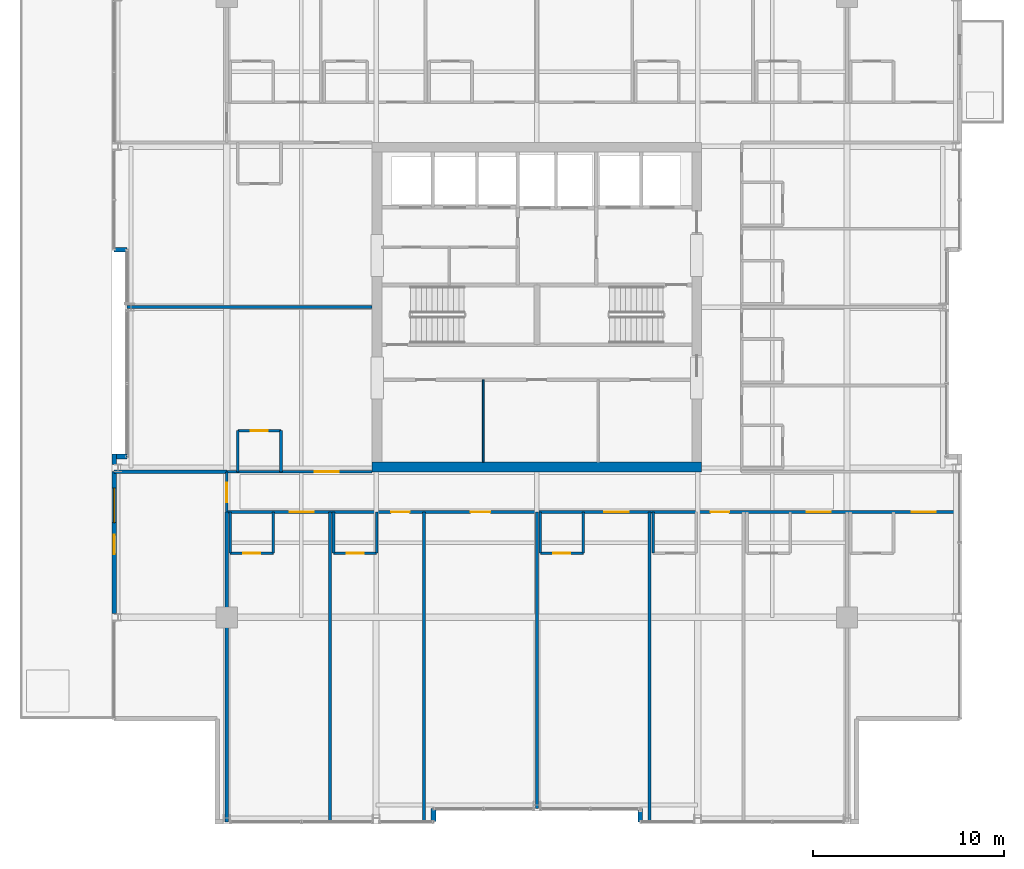
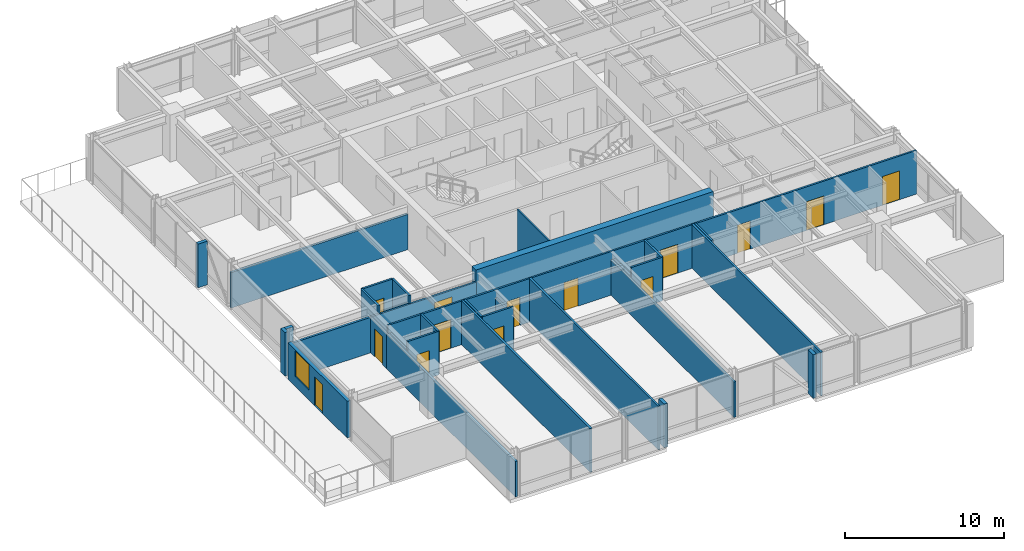
# One storey, part 25 of 32: 31 walls, 14 doors, 1 window, 15 openings.
"""IFC4 building model written with IfcOpenShell, lengths in metres."""

from ifc_helpers import new_model, si_unit, direction, frame, frame_2d, origin, place, context, subcontext, project, spatial, rectangle, extrude, material, layer, layer_set, type_object, element, fill, save


model = new_model("IFC4")

# Units and contexts
model_context = context("Model", 3, precision=1e-05, world=origin(), true_north=direction((0.0, 1.0)))
body_context = subcontext(model_context, "Body", "Model", "MODEL_VIEW")
ifc_project = project(units=[si_unit("LENGTHUNIT", "METRE"), si_unit("AREAUNIT", "SQUARE_METRE"), si_unit("VOLUMEUNIT", "CUBIC_METRE"), si_unit("PLANEANGLEUNIT", "RADIAN"), si_unit("MASSUNIT", "GRAM", prefix="KILO")], contexts=[model_context])

# Site, building, storey
site_placement = place(None, origin())
site = spatial("IfcSite", under=ifc_project, at=site_placement, CompositionType="ELEMENT")
building_placement = place(site_placement, origin())
building = spatial("IfcBuilding", under=site, at=building_placement, Name="Drelvath Grand Hotel", CompositionType="ELEMENT")
storey_placement = place(building_placement, frame((0.0, 0.0, 205.10009765625)))
storey = spatial("IfcBuildingStorey", under=building, at=storey_placement, Name="L53", CompositionType="ELEMENT", Elevation=205.10009765625)

# Wall
ifc_material_1 = material(Name="Gypsum Partition Board")
ifc_layer_1 = layer(ifc_material_1, 0.10009765625)
ifc_layer_set_1 = layer_set([ifc_layer_1], Name="Gypsum Partition Board")
wall_type_1 = type_object("IfcWallType", Name="Core Closet Partition 100", PredefinedType="PARTITIONING", material=ifc_layer_set_1)
wall_1_placement = place(storey_placement, frame((-2.800048828125, 18.89990234375, 0.0), z_axis=(0.0, 0.0, 1.0), x_axis=(0.0, 1.0, 0.0)))
element("IfcWall", 1, at=wall_1_placement, inside=storey, type_object=wall_type_1, Name="L53 Upper Core Split 1A", PredefinedType="PARTITIONING", context=body_context, shape_type="SweptSolid", body=[
    extrude(rectangle(XDim=4.300048828125, YDim=0.10009765625, at=frame_2d((2.14990234375, 0.0))), origin(), (0.0, 0.0, 1.0), 3.33984375),
])

# Wall, openings, doors
ifc_material_2 = material(Name="Gypsum Fireboard Partition")
ifc_layer_2 = layer(ifc_material_2, 0.135009765625)
ifc_layer_set_2 = layer_set([ifc_layer_2], Name="Gypsum Fireboard Partition")
wall_type_2 = type_object("IfcWallType", Name="Corridor Fire Barrier Wall 135", PredefinedType="PARTITIONING", material=ifc_layer_set_2)
wall_2_placement = place(storey_placement, frame((-16.199951171875, 16.300048828125, 0.0), z_axis=(0.0, 0.0, 1.0), x_axis=(1.0, 0.0, 0.0)))
wall_2 = element("IfcWall", 2, at=wall_2_placement, inside=storey, type_object=wall_type_2, Name="L53 South Cross-Gallery Wall", PredefinedType="PARTITIONING", context=body_context, shape_type="SweptSolid", body=[
    extrude(rectangle(XDim=38.280029296875, YDim=0.135009765625, at=frame_2d((19.14013671875, 0.0))), origin(), (0.0, 0.0, 1.0), 3.33984375),
])
opening_1_placement = place(wall_2_placement, frame((35.784912109375, 0.0, 0.0)))
opening_1 = element("IfcOpeningElement", 3, at=opening_1_placement, cuts=wall_2, Name="Opening D-T4G1-022", PredefinedType="OPENING", context=body_context, shape_type="SweptSolid", body=[
    extrude(rectangle(XDim=1.260009765625, YDim=2.199951171875, at=frame_2d((0.6298828125, 1.10009765625))), frame((0.0, 0.077392578125, 0.0), z_axis=(0.0, -1.0, 0.0), x_axis=(1.0, 0.0, 0.0)), (0.0, 0.0, 1.0), 0.155029296875),
])
opening_2_placement = place(wall_2_placement, frame((3.284912109375, 0.0, 0.0)))
opening_2 = element("IfcOpeningElement", 4, at=opening_2_placement, cuts=wall_2, Name="Opening D-T4G1-026", PredefinedType="OPENING", context=body_context, shape_type="SweptSolid", body=[
    extrude(rectangle(XDim=1.260009765625, YDim=2.199951171875, at=frame_2d((0.6298828125, 1.10009765625))), frame((0.0, 0.077392578125, 0.0), z_axis=(0.0, -1.0, 0.0), x_axis=(1.0, 0.0, 0.0)), (0.0, 0.0, 1.0), 0.155029296875),
])
opening_3_placement = place(wall_2_placement, frame((8.589599609375, 0.0, 0.0)))
opening_3 = element("IfcOpeningElement", 5, at=opening_3_placement, cuts=wall_2, Name="Opening D-T4G1-028", PredefinedType="OPENING", context=body_context, shape_type="SweptSolid", body=[
    extrude(rectangle(XDim=0.9599609375, YDim=2.14990234375, at=frame_2d((0.47998046875, 1.074951171875))), frame((0.0, 0.077392578125, 0.0), z_axis=(0.0, -1.0, 0.0), x_axis=(1.0, 0.0, 0.0)), (0.0, 0.0, 1.0), 0.155029296875),
])
opening_4_placement = place(wall_2_placement, frame((12.744384765625, 0.0, 0.0)))
opening_4 = element("IfcOpeningElement", 6, at=opening_4_placement, cuts=wall_2, Name="Opening D-T4G1-029", PredefinedType="OPENING", context=body_context, shape_type="SweptSolid", body=[
    extrude(rectangle(XDim=1.02001953125, YDim=2.14990234375, at=frame_2d((0.510009765625, 1.074951171875))), frame((0.0, 0.077392578125, 0.0), z_axis=(0.0, -1.0, 0.0), x_axis=(1.0, 0.0, 0.0)), (0.0, 0.0, 1.0), 0.155029296875),
])
opening_5_placement = place(wall_2_placement, frame((19.73046875, 0.0, 0.0)))
opening_5 = element("IfcOpeningElement", 7, at=opening_5_placement, cuts=wall_2, Name="Opening D-T4G1-031", PredefinedType="OPENING", context=body_context, shape_type="SweptSolid", body=[
    extrude(rectangle(XDim=1.260009765625, YDim=2.199951171875, at=frame_2d((0.6298828125, 1.10009765625))), frame((0.0, 0.077392578125, 0.0), z_axis=(0.0, -1.0, 0.0), x_axis=(1.0, 0.0, 0.0)), (0.0, 0.0, 1.0), 0.155029296875),
])
opening_6_placement = place(wall_2_placement, frame((25.280517578125, 0.0, 0.0)))
opening_6 = element("IfcOpeningElement", 8, at=opening_6_placement, cuts=wall_2, Name="Opening D-T4G1-033", PredefinedType="OPENING", context=body_context, shape_type="SweptSolid", body=[
    extrude(rectangle(XDim=0.9599609375, YDim=2.14990234375, at=frame_2d((0.47998046875, 1.074951171875))), frame((0.0, 0.077392578125, 0.0), z_axis=(0.0, -1.0, 0.0), x_axis=(1.0, 0.0, 0.0)), (0.0, 0.0, 1.0), 0.155029296875),
])
opening_7_placement = place(wall_2_placement, frame((30.284912109375, 0.0, 0.0)))
opening_7 = element("IfcOpeningElement", 9, at=opening_7_placement, cuts=wall_2, Name="Opening D-T4G1-035", PredefinedType="OPENING", context=body_context, shape_type="SweptSolid", body=[
    extrude(rectangle(XDim=1.260009765625, YDim=2.199951171875, at=frame_2d((0.6298828125, 1.10009765625))), frame((0.0, 0.077392578125, 0.0), z_axis=(0.0, -1.0, 0.0), x_axis=(1.0, 0.0, 0.0)), (0.0, 0.0, 1.0), 0.155029296875),
])
ifc_material_3 = material(Name="Hardwood Walnut Timber", Category="wood")
door_type_1 = type_object("IfcDoorType", Name="Amenity Meeting Fire Door 1020x2150", OperationType="NOTDEFINED", PredefinedType="DOOR", material=ifc_material_3)
door_1_placement = place(opening_4_placement, origin())
door_1 = element("IfcDoor", 10, at=door_1_placement, inside=storey, type_object=door_type_1, Name="L53 Diplomatic Reception Lounge Entry Door", OperationType="SINGLE_SWING_RIGHT", OverallHeight=2.14990234375, OverallWidth=1.02001953125, PredefinedType="DOOR", context=body_context, shape_type="SweptSolid", body=[
    extrude(rectangle(XDim=1.02001953125, YDim=2.14990234375, at=frame_2d((0.510009765625, 1.074951171875))), frame((0.0, 0.02490234375, 0.0), z_axis=(0.0, -1.0, 0.0), x_axis=(1.0, 0.0, 0.0)), (0.0, 0.0, 1.0), 0.050048828125),
])
fill(opening_4, door_1)
door_type_2 = type_object("IfcDoorType", Name="Guestroom Entrance Fire Door 960x2150", OperationType="NOTDEFINED", PredefinedType="DOOR", material=ifc_material_3)
door_2_placement = place(opening_3_placement, origin())
door_2 = element("IfcDoor", 11, at=door_2_placement, inside=storey, type_object=door_type_2, Name="L53 Deluxe Guest Room Entry Door", OperationType="SINGLE_SWING_LEFT", OverallHeight=2.14990234375, OverallWidth=0.9599609375, PredefinedType="DOOR", context=body_context, shape_type="SweptSolid", body=[
    extrude(rectangle(XDim=0.9599609375, YDim=2.14990234375, at=frame_2d((0.47998046875, 1.074951171875))), frame((0.0, 0.02490234375, 0.0), z_axis=(0.0, -1.0, 0.0), x_axis=(1.0, 0.0, 0.0)), (0.0, 0.0, 1.0), 0.050048828125),
])
fill(opening_3, door_2)
door_3_placement = place(opening_6_placement, origin())
door_3 = element("IfcDoor", 12, at=door_3_placement, inside=storey, type_object=door_type_2, Name="L53 Deluxe Guest Room Entry Door", OperationType="SINGLE_SWING_RIGHT", OverallHeight=2.14990234375, OverallWidth=0.9599609375, PredefinedType="DOOR", context=body_context, shape_type="SweptSolid", body=[
    extrude(rectangle(XDim=0.9599609375, YDim=2.14990234375, at=frame_2d((0.47998046875, 1.074951171875))), frame((0.0, 0.02490234375, 0.0), z_axis=(0.0, -1.0, 0.0), x_axis=(1.0, 0.0, 0.0)), (0.0, 0.0, 1.0), 0.050048828125),
])
fill(opening_6, door_3)
door_type_3 = type_object("IfcDoorType", Name="Suite Entrance Fire Door 1260x2200", OperationType="NOTDEFINED", PredefinedType="DOOR", material=ifc_material_3)
door_4_placement = place(opening_1_placement, origin())
door_4 = element("IfcDoor", 13, at=door_4_placement, inside=storey, type_object=door_type_3, Name="L53 Diplomatic Suite Entry Door", OperationType="SINGLE_SWING_LEFT", OverallHeight=2.199951171875, OverallWidth=1.260009765625, PredefinedType="DOOR", context=body_context, shape_type="SweptSolid", body=[
    extrude(rectangle(XDim=1.260009765625, YDim=2.199951171875, at=frame_2d((0.6298828125, 1.10009765625))), frame((0.0, 0.02490234375, 0.0), z_axis=(0.0, -1.0, 0.0), x_axis=(1.0, 0.0, 0.0)), (0.0, 0.0, 1.0), 0.050048828125),
])
fill(opening_1, door_4)
door_5_placement = place(opening_2_placement, origin())
door_5 = element("IfcDoor", 14, at=door_5_placement, inside=storey, type_object=door_type_3, Name="L53 Diplomatic Suite Entry Door", OperationType="SINGLE_SWING_LEFT", OverallHeight=2.199951171875, OverallWidth=1.260009765625, PredefinedType="DOOR", context=body_context, shape_type="SweptSolid", body=[
    extrude(rectangle(XDim=1.260009765625, YDim=2.199951171875, at=frame_2d((0.6298828125, 1.10009765625))), frame((0.0, 0.02490234375, 0.0), z_axis=(0.0, -1.0, 0.0), x_axis=(1.0, 0.0, 0.0)), (0.0, 0.0, 1.0), 0.050048828125),
])
fill(opening_2, door_5)
door_6_placement = place(opening_5_placement, origin())
door_6 = element("IfcDoor", 15, at=door_6_placement, inside=storey, type_object=door_type_3, Name="L53 Diplomatic Suite Entry Door", OperationType="SINGLE_SWING_RIGHT", OverallHeight=2.199951171875, OverallWidth=1.260009765625, PredefinedType="DOOR", context=body_context, shape_type="SweptSolid", body=[
    extrude(rectangle(XDim=1.260009765625, YDim=2.199951171875, at=frame_2d((0.6298828125, 1.10009765625))), frame((0.0, 0.02490234375, 0.0), z_axis=(0.0, -1.0, 0.0), x_axis=(1.0, 0.0, 0.0)), (0.0, 0.0, 1.0), 0.050048828125),
])
fill(opening_5, door_6)
door_7_placement = place(opening_7_placement, origin())
door_7 = element("IfcDoor", 16, at=door_7_placement, inside=storey, type_object=door_type_3, Name="L53 Diplomatic Suite Entry Door", OperationType="SINGLE_SWING_RIGHT", OverallHeight=2.199951171875, OverallWidth=1.260009765625, PredefinedType="DOOR", context=body_context, shape_type="SweptSolid", body=[
    extrude(rectangle(XDim=1.260009765625, YDim=2.199951171875, at=frame_2d((0.6298828125, 1.10009765625))), frame((0.0, 0.02490234375, 0.0), z_axis=(0.0, -1.0, 0.0), x_axis=(1.0, 0.0, 0.0)), (0.0, 0.0, 1.0), 0.050048828125),
])
fill(opening_7, door_7)

# Wall, opening, door
wall_3_placement = place(storey_placement, frame((-16.199951171875, 18.39990234375, 0.0), z_axis=(0.0, 0.0, 1.0), x_axis=(1.0, 0.0, 0.0)))
wall_3 = element("IfcWall", 17, at=wall_3_placement, inside=storey, type_object=wall_type_2, Name="L53 South Gallery Inner West Wall", PredefinedType="PARTITIONING", context=body_context, shape_type="SweptSolid", body=[
    extrude(rectangle(XDim=7.599853515625, YDim=0.135009765625, at=frame_2d((3.7998046875, 0.0))), origin(), (0.0, 0.0, 1.0), 2.71728515625),
])
opening_8_placement = place(wall_3_placement, frame((4.5849609375, 0.0, 0.0)))
opening_8 = element("IfcOpeningElement", 18, at=opening_8_placement, cuts=wall_3, Name="Opening D-T4G1-056", PredefinedType="OPENING", context=body_context, shape_type="SweptSolid", body=[
    extrude(rectangle(XDim=1.260009765625, YDim=2.199951171875, at=frame_2d((0.6298828125, 1.10009765625))), frame((0.0, 0.077392578125, 0.0), z_axis=(0.0, -1.0, 0.0), x_axis=(1.0, 0.0, 0.0)), (0.0, 0.0, 1.0), 0.155029296875),
])
door_8_placement = place(opening_8_placement, origin())
door_8 = element("IfcDoor", 19, at=door_8_placement, inside=storey, type_object=door_type_3, Name="L53 Diplomatic Suite Entry Door", OperationType="SINGLE_SWING_LEFT", OverallHeight=2.199951171875, OverallWidth=1.260009765625, PredefinedType="DOOR", context=body_context, shape_type="SweptSolid", body=[
    extrude(rectangle(XDim=1.260009765625, YDim=2.199951171875, at=frame_2d((0.6298828125, 1.10009765625))), frame((0.0, 0.02490234375, 0.0), z_axis=(0.0, -1.0, 0.0), x_axis=(1.0, 0.0, 0.0)), (0.0, 0.0, 1.0), 0.050048828125),
])
fill(opening_8, door_8)

wall_4_placement = place(storey_placement, frame((-16.199951171875, 16.300048828125, 0.0), z_axis=(0.0, 0.0, 1.0), x_axis=(0.0, 1.0, 0.0)))
wall_4 = element("IfcWall", 20, at=wall_4_placement, inside=storey, type_object=wall_type_2, Name="L53 South Gallery West End", PredefinedType="PARTITIONING", context=body_context, shape_type="SweptSolid", body=[
    extrude(rectangle(XDim=2.099853515625, YDim=0.135009765625, at=frame_2d((1.0498046875, 0.0))), origin(), (0.0, 0.0, 1.0), 2.713623046875),
])
opening_9_placement = place(wall_4_placement, frame((0.52001953125, 0.0, 0.0)))
opening_9 = element("IfcOpeningElement", 21, at=opening_9_placement, cuts=wall_4, Name="Opening D-T4G1-019", PredefinedType="OPENING", context=body_context, shape_type="SweptSolid", body=[
    extrude(rectangle(XDim=1.02001953125, YDim=2.14990234375, at=frame_2d((0.510009765625, 1.074951171875))), frame((0.0, 0.077392578125, 0.0), z_axis=(0.0, -1.0, 0.0), x_axis=(1.0, 0.0, 0.0)), (0.0, 0.0, 1.0), 0.155029296875),
])
door_9_placement = place(opening_9_placement, origin())
door_9 = element("IfcDoor", 22, at=door_9_placement, inside=storey, type_object=door_type_1, Name="L53 Corner Panorama Lounge Door", OperationType="SINGLE_SWING_RIGHT", OverallHeight=2.14990234375, OverallWidth=1.02001953125, PredefinedType="DOOR", context=body_context, shape_type="SweptSolid", body=[
    extrude(rectangle(XDim=1.02001953125, YDim=2.14990234375, at=frame_2d((0.510009765625, 1.074951171875))), frame((0.0, 0.02490234375, 0.0), z_axis=(0.0, -1.0, 0.0), x_axis=(1.0, 0.0, 0.0)), (0.0, 0.0, 1.0), 0.050048828125),
])
fill(opening_9, door_9)

# Walls
ifc_material_4 = material(Name="Moisture-Resistant Gypsum Board")
ifc_layer_3 = layer(ifc_material_4, 0.139892578125)
ifc_layer_set_3 = layer_set([ifc_layer_3], Name="Moisture-Resistant Gypsum Board")
wall_type_3 = type_object("IfcWallType", Name="En-Suite Plumbing Wall 140", PredefinedType="PLUMBINGWALL", material=ifc_layer_set_3)
wall_5_placement = place(storey_placement, frame((-16.02001953125, 16.300048828125, 0.0), z_axis=(0.0, 0.0, 1.0), x_axis=(0.0, -1.0, 0.0)))
element("IfcWall", 23, at=wall_5_placement, inside=storey, type_object=wall_type_3, Name="L53 En-Suite Left Wall", PredefinedType="PLUMBINGWALL", context=body_context, shape_type="SweptSolid", body=[
    extrude(rectangle(XDim=2.150146484375, YDim=0.139892578125, at=frame_2d((1.0751953125, 0.0))), origin(), (0.0, 0.0, 1.0), 2.713623046875),
])
wall_6_placement = place(storey_placement, frame((-13.77001953125, 16.300048828125, 0.0), z_axis=(0.0, 0.0, 1.0), x_axis=(0.0, -1.0, 0.0)))
element("IfcWall", 24, at=wall_6_placement, inside=storey, type_object=wall_type_3, Name="L53 En-Suite Right Wall", PredefinedType="PLUMBINGWALL", context=body_context, shape_type="SweptSolid", body=[
    extrude(rectangle(XDim=2.150146484375, YDim=0.139892578125, at=frame_2d((1.0751953125, 0.0))), origin(), (0.0, 0.0, 1.0), 3.33984375),
])

# Wall, opening, door
wall_7_placement = place(storey_placement, frame((-16.02001953125, 14.14990234375, 0.0), z_axis=(0.0, 0.0, 1.0), x_axis=(1.0, 0.0, 0.0)))
wall_7 = element("IfcWall", 25, at=wall_7_placement, inside=storey, type_object=wall_type_3, Name="L53 En-Suite Front Wall", PredefinedType="PLUMBINGWALL", context=body_context, shape_type="SweptSolid", body=[
    extrude(rectangle(XDim=2.25, YDim=0.139892578125, at=frame_2d((1.125, 0.0))), origin(), (0.0, 0.0, 1.0), 3.33984375),
])
opening_10_placement = place(wall_7_placement, frame((0.68505859375, 0.0, 0.0)))
opening_10 = element("IfcOpeningElement", 26, at=opening_10_placement, cuts=wall_7, Name="Opening D-T4G1-025", PredefinedType="OPENING", context=body_context, shape_type="SweptSolid", body=[
    extrude(rectangle(XDim=0.8798828125, YDim=2.10009765625, at=frame_2d((0.43994140625, 1.050048828125))), frame((0.0, 0.079833984375, 0.0), z_axis=(0.0, -1.0, 0.0), x_axis=(1.0, 0.0, 0.0)), (0.0, 0.0, 1.0), 0.159912109375),
])
door_type_4 = type_object("IfcDoorType", Name="En-Suite Bathroom Door 880x2100", OperationType="NOTDEFINED", PredefinedType="DOOR", material=ifc_material_3)
door_10_placement = place(opening_10_placement, origin())
door_10 = element("IfcDoor", 27, at=door_10_placement, inside=storey, type_object=door_type_4, Name="L53 En-Suite Bathroom Door", OperationType="SINGLE_SWING_RIGHT", OverallHeight=2.10009765625, OverallWidth=0.8798828125, PredefinedType="DOOR", context=body_context, shape_type="SweptSolid", body=[
    extrude(rectangle(XDim=0.8798828125, YDim=2.10009765625, at=frame_2d((0.43994140625, 1.050048828125))), frame((0.0, 0.02490234375, 0.0), z_axis=(0.0, -1.0, 0.0), x_axis=(1.0, 0.0, 0.0)), (0.0, 0.0, 1.0), 0.050048828125),
])
fill(opening_10, door_10)

# Walls
wall_8_placement = place(storey_placement, frame((-10.6201171875, 16.300048828125, 0.0), z_axis=(0.0, 0.0, 1.0), x_axis=(0.0, -1.0, 0.0)))
element("IfcWall", 28, at=wall_8_placement, inside=storey, type_object=wall_type_3, Name="L53 En-Suite Left Wall", PredefinedType="PLUMBINGWALL", context=body_context, shape_type="SweptSolid", body=[
    extrude(rectangle(XDim=2.150146484375, YDim=0.139892578125, at=frame_2d((1.0751953125, 0.0))), origin(), (0.0, 0.0, 1.0), 3.33984375),
])
wall_9_placement = place(storey_placement, frame((-8.3701171875, 16.300048828125, 0.0), z_axis=(0.0, 0.0, 1.0), x_axis=(0.0, -1.0, 0.0)))
element("IfcWall", 29, at=wall_9_placement, inside=storey, type_object=wall_type_3, Name="L53 En-Suite Right Wall", PredefinedType="PLUMBINGWALL", context=body_context, shape_type="SweptSolid", body=[
    extrude(rectangle(XDim=2.150146484375, YDim=0.139892578125, at=frame_2d((1.0751953125, 0.0))), origin(), (0.0, 0.0, 1.0), 2.71728515625),
])

# Wall, opening, door
wall_10_placement = place(storey_placement, frame((-10.6201171875, 14.14990234375, 0.0), z_axis=(0.0, 0.0, 1.0), x_axis=(1.0, 0.0, 0.0)))
wall_10 = element("IfcWall", 30, at=wall_10_placement, inside=storey, type_object=wall_type_3, Name="L53 En-Suite Front Wall", PredefinedType="PLUMBINGWALL", context=body_context, shape_type="SweptSolid", body=[
    extrude(rectangle(XDim=2.25, YDim=0.139892578125, at=frame_2d((1.125, 0.0))), origin(), (0.0, 0.0, 1.0), 3.33984375),
])
opening_11_placement = place(wall_10_placement, frame((0.68505859375, 0.0, 0.0)))
opening_11 = element("IfcOpeningElement", 31, at=opening_11_placement, cuts=wall_10, Name="Opening D-T4G1-027", PredefinedType="OPENING", context=body_context, shape_type="SweptSolid", body=[
    extrude(rectangle(XDim=0.8798828125, YDim=2.10009765625, at=frame_2d((0.43994140625, 1.050048828125))), frame((0.0, 0.079833984375, 0.0), z_axis=(0.0, -1.0, 0.0), x_axis=(1.0, 0.0, 0.0)), (0.0, 0.0, 1.0), 0.159912109375),
])
door_11_placement = place(opening_11_placement, origin())
door_11 = element("IfcDoor", 32, at=door_11_placement, inside=storey, type_object=door_type_4, Name="L53 En-Suite Bathroom Door", OperationType="SINGLE_SWING_RIGHT", OverallHeight=2.10009765625, OverallWidth=0.8798828125, PredefinedType="DOOR", context=body_context, shape_type="SweptSolid", body=[
    extrude(rectangle(XDim=0.8798828125, YDim=2.10009765625, at=frame_2d((0.43994140625, 1.050048828125))), frame((0.0, 0.02490234375, 0.0), z_axis=(0.0, -1.0, 0.0), x_axis=(1.0, 0.0, 0.0)), (0.0, 0.0, 1.0), 0.050048828125),
])
fill(opening_11, door_11)

# Walls
wall_11_placement = place(storey_placement, frame((0.179931640625, 16.300048828125, 0.0), z_axis=(0.0, 0.0, 1.0), x_axis=(0.0, -1.0, 0.0)))
element("IfcWall", 33, at=wall_11_placement, inside=storey, type_object=wall_type_3, Name="L53 En-Suite Left Wall", PredefinedType="PLUMBINGWALL", context=body_context, shape_type="SweptSolid", body=[
    extrude(rectangle(XDim=2.150146484375, YDim=0.139892578125, at=frame_2d((1.0751953125, 0.0))), origin(), (0.0, 0.0, 1.0), 2.71728515625),
])
wall_12_placement = place(storey_placement, frame((2.429931640625, 16.300048828125, 0.0), z_axis=(0.0, 0.0, 1.0), x_axis=(0.0, -1.0, 0.0)))
element("IfcWall", 34, at=wall_12_placement, inside=storey, type_object=wall_type_3, Name="L53 En-Suite Right Wall", PredefinedType="PLUMBINGWALL", context=body_context, shape_type="SweptSolid", body=[
    extrude(rectangle(XDim=2.150146484375, YDim=0.139892578125, at=frame_2d((1.0751953125, 0.0))), origin(), (0.0, 0.0, 1.0), 3.33984375),
])

# Wall, opening, door
wall_13_placement = place(storey_placement, frame((0.179931640625, 14.14990234375, 0.0), z_axis=(0.0, 0.0, 1.0), x_axis=(1.0, 0.0, 0.0)))
wall_13 = element("IfcWall", 35, at=wall_13_placement, inside=storey, type_object=wall_type_3, Name="L53 En-Suite Front Wall", PredefinedType="PLUMBINGWALL", context=body_context, shape_type="SweptSolid", body=[
    extrude(rectangle(XDim=2.25, YDim=0.139892578125, at=frame_2d((1.125, 0.0))), origin(), (0.0, 0.0, 1.0), 3.33984375),
])
opening_12_placement = place(wall_13_placement, frame((0.68505859375, 0.0, 0.0)))
opening_12 = element("IfcOpeningElement", 36, at=opening_12_placement, cuts=wall_13, Name="Opening D-T4G1-030", PredefinedType="OPENING", context=body_context, shape_type="SweptSolid", body=[
    extrude(rectangle(XDim=0.8798828125, YDim=2.10009765625, at=frame_2d((0.43994140625, 1.050048828125))), frame((0.0, 0.079833984375, 0.0), z_axis=(0.0, -1.0, 0.0), x_axis=(1.0, 0.0, 0.0)), (0.0, 0.0, 1.0), 0.159912109375),
])
door_12_placement = place(opening_12_placement, origin())
door_12 = element("IfcDoor", 37, at=door_12_placement, inside=storey, type_object=door_type_4, Name="L53 En-Suite Bathroom Door", OperationType="SINGLE_SWING_LEFT", OverallHeight=2.10009765625, OverallWidth=0.8798828125, PredefinedType="DOOR", context=body_context, shape_type="SweptSolid", body=[
    extrude(rectangle(XDim=0.8798828125, YDim=2.10009765625, at=frame_2d((0.43994140625, 1.050048828125))), frame((0.0, 0.02490234375, 0.0), z_axis=(0.0, -1.0, 0.0), x_axis=(1.0, 0.0, 0.0)), (0.0, 0.0, 1.0), 0.050048828125),
])
fill(opening_12, door_12)

# Walls
for number, where, z_axis, x_axis, name in (
    (38, (6.07080078125, 16.300048828125, 0.0), (0.0, 0.0, 1.0), (0.0, -1.0, 0.0), "L53 En-Suite Left Wall"),
    (39, (-15.6201171875, 18.39990234375, 0.0), (0.0, 0.0, 1.0), (0.0, 1.0, 0.0), "L53 En-Suite Left Wall"),
    (40, (-13.3701171875, 18.39990234375, 0.0), (0.0, 0.0, 1.0), (0.0, 1.0, 0.0), "L53 En-Suite Right Wall"),
):
    element("IfcWall", number, at=place(storey_placement, frame(where, z_axis=z_axis, x_axis=x_axis)), inside=storey, type_object=wall_type_3, Name=name, PredefinedType="PLUMBINGWALL", context=body_context, shape_type="SweptSolid", body=[
        extrude(rectangle(XDim=2.150146484375, YDim=0.139892578125, at=frame_2d((1.0751953125, 0.0))), origin(), (0.0, 0.0, 1.0), 3.33984375),
    ])

# Wall, opening, door
wall_14_placement = place(storey_placement, frame((-15.6201171875, 20.550048828125, 0.0), z_axis=(0.0, 0.0, 1.0), x_axis=(1.0, 0.0, 0.0)))
wall_14 = element("IfcWall", 41, at=wall_14_placement, inside=storey, type_object=wall_type_3, Name="L53 En-Suite Front Wall", PredefinedType="PLUMBINGWALL", context=body_context, shape_type="SweptSolid", body=[
    extrude(rectangle(XDim=2.25, YDim=0.139892578125, at=frame_2d((1.125, 0.0))), origin(), (0.0, 0.0, 1.0), 3.33984375),
])
opening_13_placement = place(wall_14_placement, frame((0.68505859375, 0.0, 0.0)))
opening_13 = element("IfcOpeningElement", 42, at=opening_13_placement, cuts=wall_14, Name="Opening D-T4G1-055", PredefinedType="OPENING", context=body_context, shape_type="SweptSolid", body=[
    extrude(rectangle(XDim=0.8798828125, YDim=2.10009765625, at=frame_2d((0.43994140625, 1.050048828125))), frame((0.0, 0.079833984375, 0.0), z_axis=(0.0, -1.0, 0.0), x_axis=(1.0, 0.0, 0.0)), (0.0, 0.0, 1.0), 0.159912109375),
])
door_13_placement = place(opening_13_placement, origin())
door_13 = element("IfcDoor", 43, at=door_13_placement, inside=storey, type_object=door_type_4, Name="L53 En-Suite Bathroom Door", OperationType="SINGLE_SWING_RIGHT", OverallHeight=2.10009765625, OverallWidth=0.8798828125, PredefinedType="DOOR", context=body_context, shape_type="SweptSolid", body=[
    extrude(rectangle(XDim=0.8798828125, YDim=2.10009765625, at=frame_2d((0.43994140625, 1.050048828125))), frame((0.0, 0.02490234375, 0.0), z_axis=(0.0, -1.0, 0.0), x_axis=(1.0, 0.0, 0.0)), (0.0, 0.0, 1.0), 0.050048828125),
])
fill(opening_13, door_13)

# Walls
ifc_material_5 = material(Name="Gypsum Acoustic Partition")
ifc_layer_4 = layer(ifc_material_5, 0.14990234375)
ifc_layer_set_4 = layer_set([ifc_layer_4], Name="Gypsum Acoustic Partition")
wall_type_4 = type_object("IfcWallType", Name="Guestroom Demising Wall 150", PredefinedType="PARTITIONING", material=ifc_layer_set_4)
for number, where, z_axis, x_axis, name in (
    (44, (-10.800048828125, 0.1201171875, 0.0), (0.0, 0.0, 1.0), (0.0, 1.0, 0.0), "L53 South Demising 1"),
    (45, (-5.890869140625, 0.1201171875, 0.0), (0.0, 0.0, 1.0), (0.0, 1.0, 0.0), "L53 South Demising 2"),
):
    element("IfcWall", number, at=place(storey_placement, frame(where, z_axis=z_axis, x_axis=x_axis)), inside=storey, type_object=wall_type_4, Name=name, PredefinedType="PARTITIONING", context=body_context, shape_type="SweptSolid", body=[
        extrude(rectangle(XDim=16.179931640625, YDim=0.14990234375, at=frame_2d((8.08984375, 0.0))), origin(), (0.0, 0.0, 1.0), 3.33984375),
    ])
wall_15_placement = place(storey_placement, frame((0.0, 0.800048828125, 0.0), z_axis=(0.0, 0.0, 1.0), x_axis=(0.0, 1.0, 0.0)))
element("IfcWall", 46, at=wall_15_placement, inside=storey, type_object=wall_type_4, Name="L53 South Demising 3", PredefinedType="PARTITIONING", context=body_context, shape_type="SweptSolid", body=[
    extrude(rectangle(XDim=15.5, YDim=0.14990234375, at=frame_2d((7.75, 0.0))), origin(), (0.0, 0.0, 1.0), 2.713623046875),
])
wall_16_placement = place(storey_placement, frame((5.890869140625, 0.1201171875, 0.0), z_axis=(0.0, 0.0, 1.0), x_axis=(0.0, 1.0, 0.0)))
element("IfcWall", 47, at=wall_16_placement, inside=storey, type_object=wall_type_4, Name="L53 South Demising 4", PredefinedType="PARTITIONING", context=body_context, shape_type="SweptSolid", body=[
    extrude(rectangle(XDim=16.179931640625, YDim=0.14990234375, at=frame_2d((8.08984375, 0.0))), origin(), (0.0, 0.0, 1.0), 3.33984375),
])
ifc_layer_5 = layer(ifc_material_5, 0.1650390625)
ifc_layer_set_5 = layer_set([ifc_layer_5], Name="Gypsum Acoustic Partition")
wall_type_5 = type_object("IfcWallType", Name="Suite Demising Wall 165", PredefinedType="PARTITIONING", material=ifc_layer_set_5)
wall_17_placement = place(storey_placement, frame((-16.199951171875, 0.1201171875, 0.0), z_axis=(0.0, 0.0, 1.0), x_axis=(0.0, 1.0, 0.0)))
element("IfcWall", 48, at=wall_17_placement, inside=storey, type_object=wall_type_5, Name="L53 SW Suite Wall", PredefinedType="PARTITIONING", context=body_context, shape_type="SweptSolid", body=[
    extrude(rectangle(XDim=16.179931640625, YDim=0.1650390625, at=frame_2d((8.08984375, 0.0))), origin(), (0.0, 0.0, 1.0), 2.713623046875),
])
wall_18_placement = place(storey_placement, frame((-22.080078125, 18.39990234375, 0.0), z_axis=(0.0, 0.0, 1.0), x_axis=(1.0, 0.0, 0.0)))
element("IfcWall", 49, at=wall_18_placement, inside=storey, type_object=wall_type_5, Name="L53 SW Corner North Wall", PredefinedType="PARTITIONING", context=body_context, shape_type="SweptSolid", body=[
    extrude(rectangle(XDim=5.880126953125, YDim=0.1650390625, at=frame_2d((2.93994140625, 0.0))), origin(), (0.0, 0.0, 1.0), 2.713623046875),
])
wall_19_placement = place(storey_placement, frame((-21.39990234375, 27.0, 0.0), z_axis=(0.0, 0.0, 1.0), x_axis=(1.0, 0.0, 0.0)))
element("IfcWall", 50, at=wall_19_placement, inside=storey, type_object=wall_type_5, Name="L53 West Grand Suite Split Wall", PredefinedType="PARTITIONING", context=body_context, shape_type="SweptSolid", body=[
    extrude(rectangle(XDim=12.7998046875, YDim=0.1650390625, at=frame_2d((6.39990234375, 0.0))), origin(), (0.0, 0.0, 1.0), 2.713623046875),
])

# Wall, openings, window, door
ifc_material_6 = material(Name="Pale-Metal Insulated Aluminium Spandrel Assembly", Category="aluminium")
ifc_layer_6 = layer(ifc_material_6, 0.239990234375)
ifc_layer_set_6 = layer_set([ifc_layer_6], Name="Pale-Metal Insulated Aluminium Spandrel Assembly")
wall_type_6 = type_object("IfcWallType", Name="Tower Insulated Metal Spandrel Closure Wall 240", PredefinedType="STANDARD", material=ifc_layer_set_6)
wall_20_placement = place(storey_placement, frame((-22.080078125, 10.9853515625, 0.0), z_axis=(0.0, 0.0, 1.0), x_axis=(0.0, 1.0, 0.0)))
wall_20 = element("IfcWall", 51, at=wall_20_placement, inside=storey, type_object=wall_type_6, Name="L53 Exterior Terrace Door Bay Wall WS2", PredefinedType="STANDARD", context=body_context, shape_type="SweptSolid", body=[
    extrude(rectangle(XDim=7.429443359375, YDim=0.239990234375, at=frame_2d((3.71484375, 0.0))), origin(), (0.0, 0.0, 1.0), 2.80322265625),
])
opening_14_placement = place(wall_20_placement, frame((3.11474609375, 0.0, 0.0)))
opening_14 = element("IfcOpeningElement", 52, at=opening_14_placement, cuts=wall_20, Name="Opening TD-1000", PredefinedType="OPENING", context=body_context, shape_type="SweptSolid", body=[
    extrude(rectangle(XDim=1.0, YDim=2.199951171875, at=frame_2d((0.5, 1.10009765625))), frame((0.0, 0.1298828125, 0.0), z_axis=(0.0, -1.0, 0.0), x_axis=(1.0, 0.0, 0.0)), (0.0, 0.0, 1.0), 0.260009765625),
])
opening_15_placement = place(wall_20_placement, frame((4.76123046875, 0.0, 0.75)))
opening_15 = element("IfcOpeningElement", 53, at=opening_15_placement, cuts=wall_20, Name="Opening W-02", PredefinedType="OPENING", context=body_context, shape_type="SweptSolid", body=[
    extrude(rectangle(XDim=1.800048828125, YDim=1.953369140625, at=frame_2d((0.89990234375, 0.9765625))), frame((0.0, 0.1298828125, 0.0), z_axis=(0.0, -1.0, 0.0), x_axis=(1.0, 0.0, 0.0)), (0.0, 0.0, 1.0), 0.260009765625),
])
ifc_material_7 = material(Name="Bronze Anodised Low-E Triple Glazing", Category="glass")
window_type = type_object("IfcWindowType", Name="Chicago Double-Pane Podium Window 1800x2400", PartitioningType="DOUBLE_PANEL_VERTICAL", PredefinedType="WINDOW", material=ifc_material_7)
window_placement = place(opening_15_placement, origin())
window = element("IfcWindow", 54, at=window_placement, inside=storey, type_object=window_type, Name="L53 Terrace Bay Companion Window WS2", OverallHeight=1.953369140625, OverallWidth=1.800048828125, PartitioningType="SINGLE_PANEL", PredefinedType="WINDOW", context=body_context, shape_type="SweptSolid", body=[
    extrude(rectangle(XDim=1.800048828125, YDim=1.953369140625, at=frame_2d((0.89990234375, 0.9765625))), frame((0.0, 0.030029296875, 0.0), z_axis=(0.0, -1.0, 0.0), x_axis=(1.0, 0.0, 0.0)), (0.0, 0.0, 1.0), 0.06005859375),
])
fill(opening_15, window)
ifc_material_8 = material(Name="Anodised Aluminium Thermally Broken Glazed Door", Category="aluminium")
door_type_5 = type_object("IfcDoorType", Name="Terrace and Tree Balcony Glazed Door 1000x2200", OperationType="NOTDEFINED", PredefinedType="DOOR", material=ifc_material_8)
door_14_placement = place(opening_14_placement, origin())
door_14 = element("IfcDoor", 55, at=door_14_placement, inside=storey, type_object=door_type_5, Name="L53 Setback Terrace Door DOOR-L53-TERR-1", OperationType="SINGLE_SWING_LEFT", OverallHeight=2.199951171875, OverallWidth=1.0, PredefinedType="DOOR", context=body_context, shape_type="SweptSolid", body=[
    extrude(rectangle(XDim=1.0, YDim=2.199951171875, at=frame_2d((0.5, 1.10009765625))), frame((0.0, 0.02490234375, 0.0), z_axis=(0.0, -1.0, 0.0), x_axis=(1.0, 0.0, 0.0)), (0.0, 0.0, 1.0), 0.050048828125),
])
fill(opening_14, door_14)

# Walls
wall_21_placement = place(storey_placement, frame((-22.080078125, 18.785400390625, 0.0), z_axis=(0.0, 0.0, 1.0), x_axis=(0.0, 1.0, 0.0)))
element("IfcWall", 56, at=wall_21_placement, inside=storey, type_object=wall_type_6, Name="L53 Corner Pier Spandrel Wall WS3", PredefinedType="STANDARD", context=body_context, shape_type="SweptSolid", body=[
    extrude(rectangle(XDim=0.53466796875, YDim=0.239990234375, at=frame_2d((0.267333984375, 0.0))), origin(), (0.0, 0.0, 1.0), 3.33984375),
])
wall_22_placement = place(storey_placement, frame((-21.9599609375, 19.199951171875, 0.0), z_axis=(0.0, 0.0, 1.0), x_axis=(1.0, 0.0, 0.0)))
element("IfcWall", 57, at=wall_22_placement, inside=storey, type_object=wall_type_6, Name="L53 Notched Corner Return Spandrel Wall RW1", PredefinedType="STANDARD", context=body_context, shape_type="SweptSolid", body=[
    extrude(rectangle(XDim=0.56005859375, YDim=0.239990234375, at=frame_2d((0.280029296875, 0.0))), origin(), (0.0, 0.0, 1.0), 3.33984375),
])
wall_23_placement = place(storey_placement, frame((-21.39990234375, 30.0, 0.0), z_axis=(0.0, 0.0, 1.0), x_axis=(-1.0, 0.0, 0.0)))
element("IfcWall", 58, at=wall_23_placement, inside=storey, type_object=wall_type_6, Name="L53 Notched Corner Return Spandrel Wall RW2", PredefinedType="STANDARD", context=body_context, shape_type="SweptSolid", body=[
    extrude(rectangle(XDim=0.68017578125, YDim=0.239990234375, at=frame_2d((0.340087890625, 0.0))), origin(), (0.0, 0.0, 1.0), 3.33984375),
])
for number, where, z_axis, x_axis, name in (
    (59, (5.39990234375, 0.1201171875, 0.0), (0.0, 0.0, 1.0), (0.0, 1.0, 0.0), "L53 Notched Corner Return Spandrel Wall RS1"),
    (60, (-5.39990234375, 0.800048828125, 0.0), (0.0, 0.0, 1.0), (0.0, -1.0, 0.0), "L53 Notched Corner Return Spandrel Wall RS2"),
):
    element("IfcWall", number, at=place(storey_placement, frame(where, z_axis=z_axis, x_axis=x_axis)), inside=storey, type_object=wall_type_6, Name=name, PredefinedType="STANDARD", context=body_context, shape_type="SweptSolid", body=[
        extrude(rectangle(XDim=0.679931640625, YDim=0.239990234375, at=frame_2d((0.33984375, 0.0))), origin(), (0.0, 0.0, 1.0), 3.33984375),
    ])
ifc_material_9 = material(Name="Concrete f'c 55 MPa", Category="concrete")
ifc_layer_7 = layer(ifc_material_9, 0.5)
ifc_layer_set_7 = layer_set([ifc_layer_7], Name="Concrete f'c 55 MPa")
wall_type_7 = type_object("IfcWallType", Name="Upper Core RC Shear Wall 500", PredefinedType="SHEAR", material=ifc_layer_set_7)
wall_24_placement = place(storey_placement, frame((8.60009765625, 18.64990234375, 0.0), z_axis=(0.0, 0.0, 1.0), x_axis=(-1.0, 0.0, 0.0)))
element("IfcWall", 61, at=wall_24_placement, inside=storey, type_object=wall_type_7, Name="L53 Central Core Shear Wall S", PredefinedType="SHEAR", context=body_context, shape_type="SweptSolid", body=[
    extrude(rectangle(XDim=17.2001953125, YDim=0.5, at=frame_2d((8.60009765625, 0.0))), origin(), (0.0, 0.0, 1.0), 3.599853515625),
])

save(model, "model.ifc")
